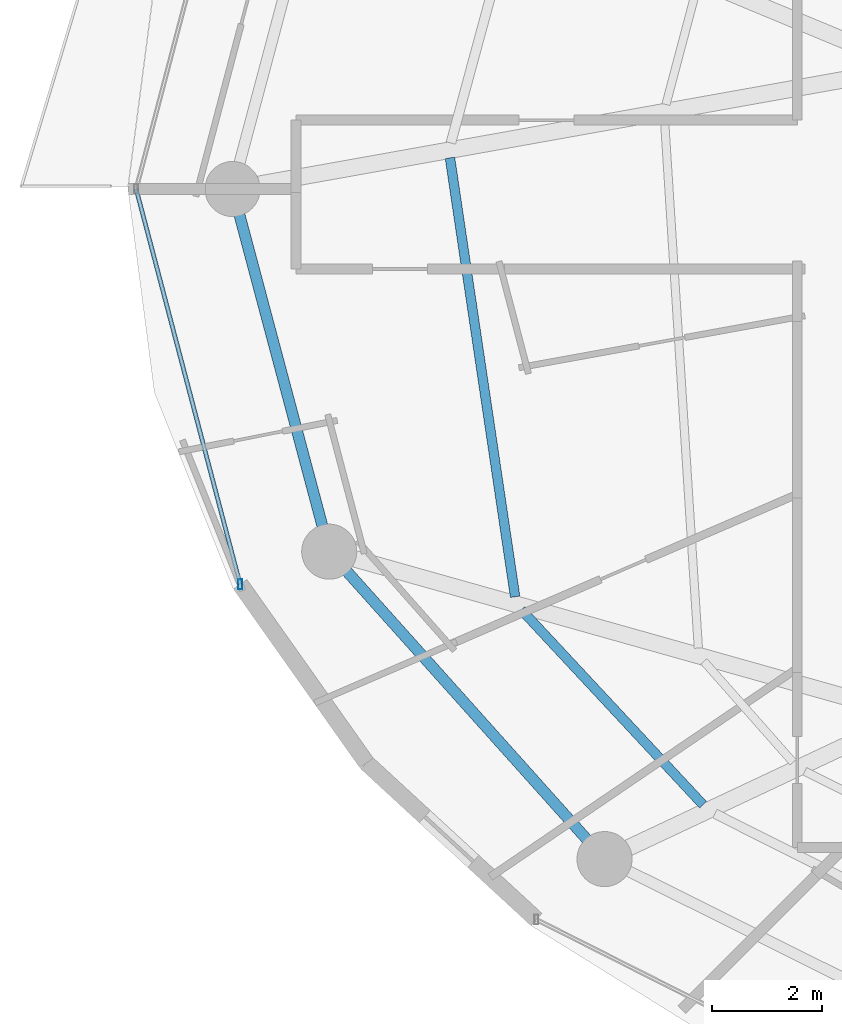
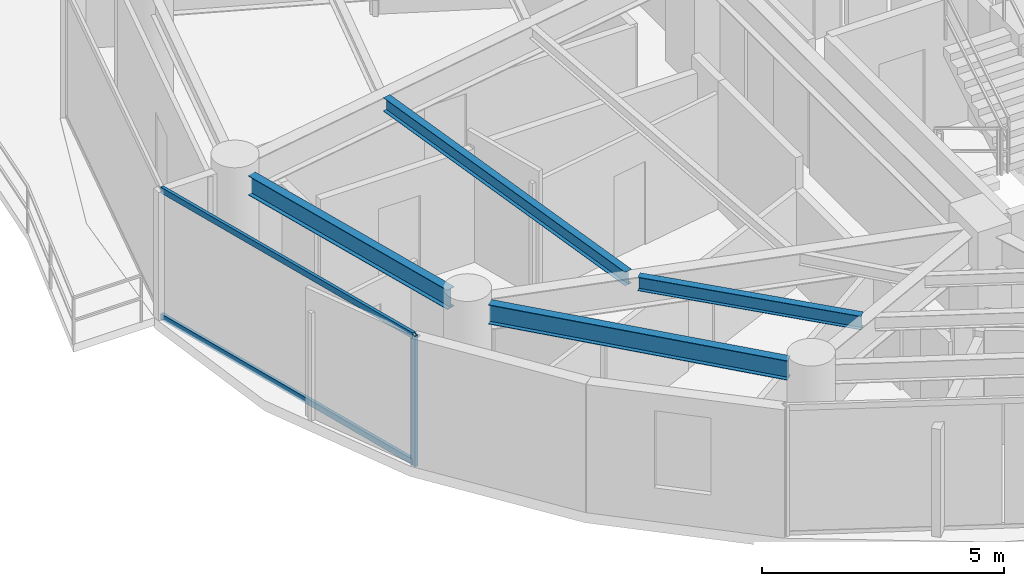
# One storey, part 3 of 31: 4 beams, 3 members, 1 element without a shape of its own.
"""IFC4 building model written with IfcOpenShell, lengths in metres."""

from ifc_helpers import new_model, si_unit, direction, frame, origin, origin_2d, place, context, subcontext, project, spatial, hollow_rectangle, i_section, extrude, material, material_profile, profile_set, type_object, element, aggregate, save


model = new_model("IFC4")

# Units and contexts
model_context = context("Model", 3, precision=1e-05, world=origin(), true_north=direction((0.0, 1.0)))
body_context = subcontext(model_context, "Body", "Model", "MODEL_VIEW")
ifc_project = project(units=[si_unit("LENGTHUNIT", "METRE"), si_unit("AREAUNIT", "SQUARE_METRE"), si_unit("VOLUMEUNIT", "CUBIC_METRE"), si_unit("PLANEANGLEUNIT", "RADIAN"), si_unit("MASSUNIT", "GRAM", prefix="KILO")], contexts=[model_context])

# Site, building, storey
site_placement = place(None, origin())
site = spatial("IfcSite", under=ifc_project, at=site_placement, CompositionType="ELEMENT")
building_placement = place(site_placement, origin())
building = spatial("IfcBuilding", under=site, at=building_placement, Name="Vorneva Point Tower", CompositionType="ELEMENT")
storey_placement = place(building_placement, frame((0.0, 0.0, 129.10009765625)))
storey = spatial("IfcBuildingStorey", under=building, at=storey_placement, Name="L34", CompositionType="ELEMENT", Elevation=129.10009765625)

# Beams
ifc_material_1 = material(Name="Steel S355", Category="steel")
ifc_material_profile_1 = material_profile(ifc_material_1, i_section(OverallWidth=0.174072265625, OverallDepth=0.345947265625, WebThickness=0.006103515625, FlangeThickness=0.009033203125, at=origin_2d()), Name="35B1")
ifc_profile_set_1 = profile_set([ifc_material_profile_1], Name="Steel S355")
beam_type_1 = type_object("IfcBeamType", Name="BM-SEC-35B1", PredefinedType="BEAM", material=ifc_profile_set_1)
beam_1_placement = place(storey_placement, frame((18.89599609375, 26.565673828125, 3.06689453125), z_axis=(0.146838688034, -0.989160451947, 0.0), x_axis=(0.989160451947, 0.146838688034, 0.0)))
element("IfcBeam", 1, at=beam_1_placement, inside=storey, type_object=beam_type_1, Name="L34 Secondary Floor Beam 1.09", PredefinedType="BEAM", context=body_context, shape_type="SweptSolid", body=[
    extrude(i_section(OverallWidth=0.174072265625, OverallDepth=0.345947265625, WebThickness=0.006103515625, FlangeThickness=0.009033203125, at=origin_2d()), origin(), (0.0, 0.0, 1.0), 8.053955078125),
])
beam_2_placement = place(storey_placement, frame((20.193115234375, 18.361572265625, 3.06689453125), z_axis=(0.68166662065, -0.731662913022, 0.0), x_axis=(0.731662913022, 0.68166662065, 0.0)))
element("IfcBeam", 2, at=beam_2_placement, inside=storey, type_object=beam_type_1, Name="L34 Secondary Floor Beam 1.10", PredefinedType="BEAM", context=body_context, shape_type="SweptSolid", body=[
    extrude(i_section(OverallWidth=0.174072265625, OverallDepth=0.345947265625, WebThickness=0.006103515625, FlangeThickness=0.009033203125, at=origin_2d()), origin(), (0.0, 0.0, 1.0), 4.834228515625),
])
ifc_material_profile_2 = material_profile(ifc_material_1, i_section(OverallWidth=0.199951171875, OverallDepth=0.491943359375, WebThickness=0.0087890625, FlangeThickness=0.011962890625, at=origin_2d()), Name="50B1")
ifc_profile_set_2 = profile_set([ifc_material_profile_2], Name="Steel S355")
beam_type_2 = type_object("IfcBeamType", Name="BM-SPN-50B1", PredefinedType="SPANDREL", material=ifc_profile_set_2)
beam_3_placement = place(storey_placement, frame((15.074951171875, 25.531494140625, 2.993896484375), z_axis=(0.257550804648, -0.966264758245, 0.0), x_axis=(0.966264758245, 0.257550804648, 0.0)))
element("IfcBeam", 3, at=beam_3_placement, inside=storey, type_object=beam_type_2, Name="L34 Perimeter Spandrel Ring Beam 09", PredefinedType="SPANDREL", context=body_context, shape_type="SweptSolid", body=[
    extrude(i_section(OverallWidth=0.199951171875, OverallDepth=0.491943359375, WebThickness=0.0087890625, FlangeThickness=0.011962890625, at=origin_2d()), origin(), (0.0, 0.0, 1.0), 5.842041015625),
])
beam_4_placement = place(storey_placement, frame((17.028076171875, 19.056396484375, 2.993896484375), z_axis=(0.667111118975, -0.74495822362, 0.0), x_axis=(0.74495822362, 0.667111118975, 0.0)))
element("IfcBeam", 4, at=beam_4_placement, inside=storey, type_object=beam_type_2, Name="L34 Perimeter Spandrel Ring Beam 10", PredefinedType="SPANDREL", context=body_context, shape_type="SweptSolid", body=[
    extrude(i_section(OverallWidth=0.199951171875, OverallDepth=0.491943359375, WebThickness=0.0087890625, FlangeThickness=0.011962890625, at=origin_2d()), origin(), (0.0, 0.0, 1.0), 6.52001953125),
])

# Curtain wall, members
ifc_material_2 = material(Name="Pale anodised aluminium", Category="aluminium")
curtain_wall_type = type_object("IfcCurtainWallType", Name="CW-RES-SYS", PredefinedType="NOTDEFINED", material=ifc_material_2)
curtain_wall_placement = place(storey_placement, origin())
curtain_wall = element("IfcCurtainWall", 5, at=curtain_wall_placement, inside=storey, type_object=curtain_wall_type, Name="L34 Unitised Curtain Wall CW-L34-R03", PredefinedType="NOTDEFINED")
ifc_material_profile_3 = material_profile(ifc_material_2, hollow_rectangle(XDim=0.074951171875, YDim=0.179931640625, WallThickness=0.00390625, at=origin_2d()), Name="AL-MUL 180x75x4")
ifc_profile_set_3 = profile_set([ifc_material_profile_3], Name="Pale anodised aluminium")
member_type_1 = type_object("IfcMemberType", Name="CW-MUL-180", PredefinedType="MULLION", material=ifc_profile_set_3)
member_1_placement = place(storey_placement, frame((15.087890625, 18.82470703125, -0.0400390625), z_axis=(0.0, 0.0, 1.0), x_axis=(1.0, 0.0, 0.0)))
member_1 = element("IfcMember", 6, at=member_1_placement, type_object=member_type_1, Name="CW-L34-R03 Mullion 03", PredefinedType="MULLION", context=body_context, shape_type="SweptSolid", body=[
    extrude(hollow_rectangle(XDim=0.074951171875, YDim=0.179931640625, WallThickness=0.00390625, at=origin_2d()), origin(), (0.0, 0.0, 1.0), 3.31005859375),
])
ifc_material_profile_4 = material_profile(ifc_material_2, hollow_rectangle(XDim=0.074951171875, YDim=0.14990234375, WallThickness=0.00390625, at=origin_2d()), Name="AL-TRN 150x75x4")
ifc_profile_set_4 = profile_set([ifc_material_profile_4], Name="Pale anodised aluminium")
member_type_2 = type_object("IfcMemberType", Name="CW-TRN-150", PredefinedType="USERDEFINED", material=ifc_profile_set_4)
member_2_placement = place(storey_placement, frame((13.199951171875, 26.0, 0.02001953125), z_axis=(0.254456046293, -0.967084339913, 0.0), x_axis=(0.967084339913, 0.254456046293, 0.0)))
member_2 = element("IfcMember", 7, at=member_2_placement, type_object=member_type_2, Name="CW-L34-R03 Transom 02.1", ObjectType="TRANSOM", PredefinedType="USERDEFINED", context=body_context, shape_type="SweptSolid", body=[
    extrude(hollow_rectangle(XDim=0.074951171875, YDim=0.14990234375, WallThickness=0.00390625, at=origin_2d()), origin(), (0.0, 0.0, 1.0), 7.41943359375),
])
member_3_placement = place(storey_placement, frame((13.199951171875, 26.0, 3.219970703125), z_axis=(0.254456046293, -0.967084339913, 0.0), x_axis=(0.967084339913, 0.254456046293, 0.0)))
member_3 = element("IfcMember", 8, at=member_3_placement, type_object=member_type_2, Name="CW-L34-R03 Transom 02.2", ObjectType="TRANSOM", PredefinedType="USERDEFINED", context=body_context, shape_type="SweptSolid", body=[
    extrude(hollow_rectangle(XDim=0.074951171875, YDim=0.14990234375, WallThickness=0.00390625, at=origin_2d()), origin(), (0.0, 0.0, 1.0), 7.41943359375),
])
aggregate(curtain_wall, [member_1, member_2, member_3])

save(model, "model.ifc")
